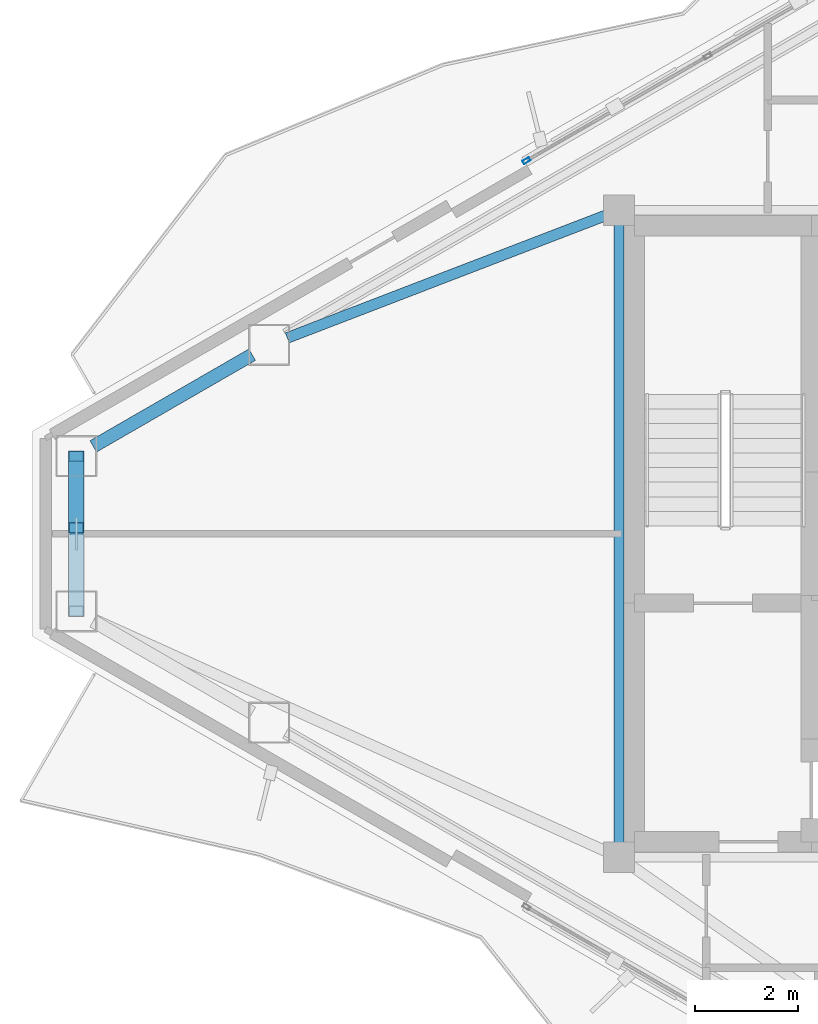
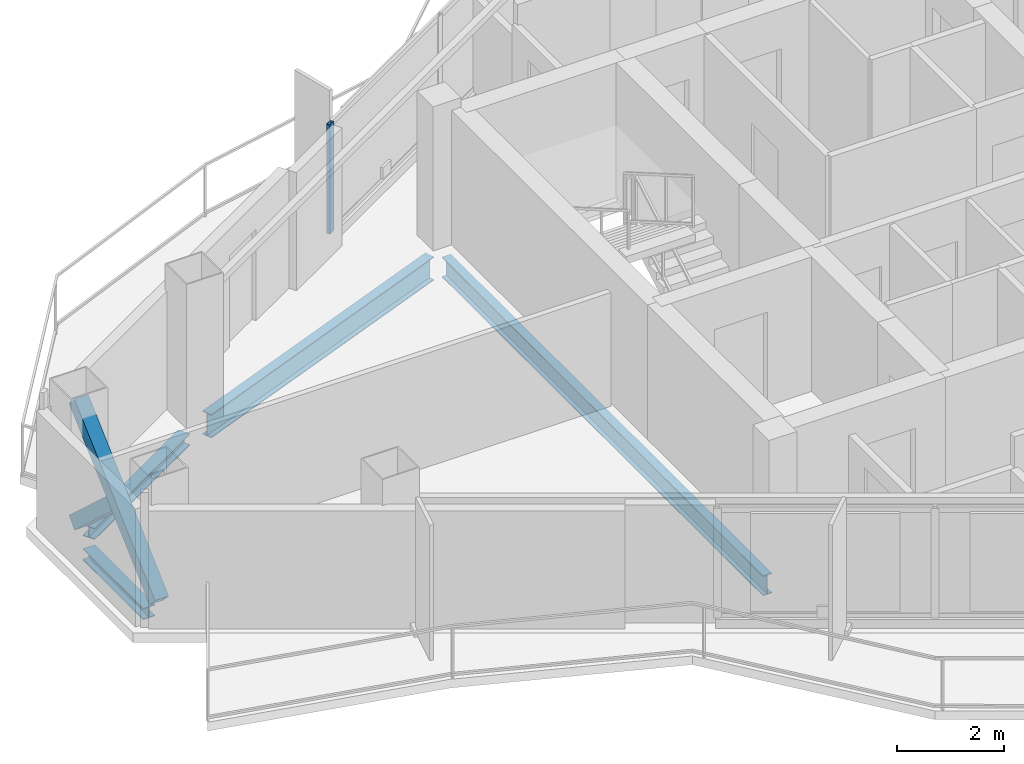
# One storey, part 8 of 18: 4 beams, 3 members, 1 element without a shape of its own.
"""IFC4 building model written with IfcOpenShell, lengths in metres."""

from ifc_helpers import new_model, si_unit, direction, frame, origin, origin_2d, place, context, subcontext, project, spatial, hollow_rectangle, i_section, extrude, material, layer, layer_set, material_profile, profile_set, type_object, element, aggregate, save


model = new_model("IFC4")

# Units and contexts
model_context = context("Model", 3, precision=1e-05, world=origin(), true_north=direction((0.0, 1.0)))
body_context = subcontext(model_context, "Body", "Model", "MODEL_VIEW")
ifc_project = project(units=[si_unit("LENGTHUNIT", "METRE"), si_unit("AREAUNIT", "SQUARE_METRE"), si_unit("VOLUMEUNIT", "CUBIC_METRE"), si_unit("PLANEANGLEUNIT", "RADIAN"), si_unit("MASSUNIT", "GRAM", prefix="KILO")], contexts=[model_context])

# Site, building, storey
site_placement = place(None, origin())
site = spatial("IfcSite", under=ifc_project, at=site_placement, CompositionType="ELEMENT")
building_placement = place(site_placement, origin())
building = spatial("IfcBuilding", under=site, at=building_placement, Name="Mersakhor Tower and Convention Hall", CompositionType="ELEMENT")
storey_placement = place(building_placement, frame((0.0, 0.0, 226.5)))
storey = spatial("IfcBuildingStorey", under=building, at=storey_placement, Name="L63", CompositionType="ELEMENT", Elevation=226.5)

# Beams
ifc_material_1 = material(Name="Steel S355", Category="steel")
ifc_material_profile_1 = material_profile(ifc_material_1, i_section(OverallWidth=0.19140625, OverallDepth=0.4599609375, WebThickness=0.010009765625, FlangeThickness=0.01611328125, at=origin_2d()), Name="UB 457x191x82")
ifc_profile_set_1 = profile_set([ifc_material_profile_1], Name="Steel S355")
beam_type_1 = type_object("IfcBeamType", Name="BM-FB-457", PredefinedType="BEAM", material=ifc_profile_set_1)
beam_1_placement = place(storey_placement, frame((21.89990234375, 20.72998046875, -0.449951171875), z_axis=(0.0, 1.0, 0.0), x_axis=(-1.0, 0.0, 0.0)))
element("IfcBeam", 1, at=beam_1_placement, inside=storey, type_object=beam_type_1, Name="L63 Core Ring Tie Beam CRB-1", PredefinedType="BEAM", context=body_context, shape_type="SweptSolid", body=[
    extrude(i_section(OverallWidth=0.19140625, OverallDepth=0.4599609375, WebThickness=0.010009765625, FlangeThickness=0.01611328125, at=origin_2d()), origin(), (0.0, 0.0, 1.0), 12.0400390625),
])
ifc_material_2 = material(Name="Steel S355", Category="steel")
ifc_material_profile_2 = material_profile(ifc_material_2, i_section(OverallWidth=0.2099609375, OverallDepth=0.53662109375, WebThickness=0.0107421875, FlangeThickness=0.017333984375, at=origin_2d()), Name="UB 533x210x101")
ifc_profile_set_2 = profile_set([ifc_material_profile_2], Name="Steel S355")
beam_type_2 = type_object("IfcBeamType", Name="BM-FB-533", PredefinedType="BEAM", material=ifc_profile_set_2)
beam_2_placement = place(storey_placement, frame((21.638671875, 32.949462890625, -0.48828125), z_axis=(-0.933316231297, -0.359055444741, 0.0), x_axis=(0.359055444741, -0.933316231297, 0.0)))
element("IfcBeam", 2, at=beam_2_placement, inside=storey, type_object=beam_type_2, Name="L63 Primary Floor Girder FG-1", PredefinedType="BEAM", context=body_context, shape_type="SweptSolid", body=[
    extrude(i_section(OverallWidth=0.2099609375, OverallDepth=0.53662109375, WebThickness=0.0107421875, FlangeThickness=0.017333984375, at=origin_2d()), origin(), (0.0, 0.0, 1.0), 6.64111328125),
])
ifc_material_3 = material(Name="Steel S355", Category="steel")
ifc_material_profile_3 = material_profile(ifc_material_3, i_section(OverallWidth=0.25634765625, OverallDepth=0.26025390625, WebThickness=0.01025390625, FlangeThickness=0.017333984375, at=origin_2d()), Name="UC 254x254x89")
ifc_profile_set_3 = profile_set([ifc_material_profile_3], Name="Steel S355")
beam_type_3 = type_object("IfcBeamType", Name="BM-SPD-UC254", PredefinedType="SPANDREL", material=ifc_profile_set_3)
beam_3_placement = place(storey_placement, frame((11.6611328125, 28.451416015625, -0.35009765625), z_axis=(0.866032030752, 0.499988521579, 0.0), x_axis=(-0.499988521579, 0.866032030752, 0.0)))
element("IfcBeam", 3, at=beam_3_placement, inside=storey, type_object=beam_type_3, Name="L63 Perimeter Spandrel Beam SPB-01", PredefinedType="SPANDREL", context=body_context, shape_type="SweptSolid", body=[
    extrude(i_section(OverallWidth=0.25634765625, OverallDepth=0.26025390625, WebThickness=0.01025390625, FlangeThickness=0.017333984375, at=origin_2d()), origin(), (0.0, 0.0, 1.0), 3.57421875),
])
beam_4_placement = place(storey_placement, frame((11.33203125, 25.61865234375, -0.35009765625), z_axis=(0.0, 1.0, 0.0), x_axis=(-1.0, 0.0, 0.0)))
element("IfcBeam", 4, at=beam_4_placement, inside=storey, type_object=beam_type_3, Name="L63 Perimeter Spandrel Beam SPB-12", PredefinedType="SPANDREL", context=body_context, shape_type="SweptSolid", body=[
    extrude(i_section(OverallWidth=0.25634765625, OverallDepth=0.26025390625, WebThickness=0.01025390625, FlangeThickness=0.017333984375, at=origin_2d()), origin(), (0.0, 0.0, 1.0), 2.2626953125),
])

# Curtain wall, member
ifc_material_4 = material(Name="Dark solar low-E aluminium curtain wall", Category="aluminium")
ifc_layer = layer(ifc_material_4, 0.179931640625)
ifc_layer_set = layer_set([ifc_layer], Name="Dark solar low-E aluminium curtain wall")
curtain_wall_type = type_object("IfcCurtainWallType", Name="CW-SYS-03", PredefinedType="USERDEFINED", material=ifc_layer_set)
curtain_wall_placement = place(storey_placement, origin())
curtain_wall = element("IfcCurtainWall", 5, at=curtain_wall_placement, inside=storey, type_object=curtain_wall_type, Name="L63 Dark-Glass Curtain Wall F1-B2", ObjectType="CURTAIN WALL", PredefinedType="USERDEFINED")
ifc_material_5 = material(Name="Anodised aluminium EN AW-6063 T6", Category="aluminium")
ifc_material_profile_4 = material_profile(ifc_material_5, hollow_rectangle(XDim=0.074951171875, YDim=0.14990234375, WallThickness=0.00634765625, at=origin_2d()), Name="RHS 150x75x6.3")
ifc_profile_set_4 = profile_set([ifc_material_profile_4], Name="Anodised aluminium EN AW-6063 T6")
member_type_1 = type_object("IfcMemberType", Name="CWM-150x75", PredefinedType="MULLION", material=ifc_profile_set_4)
member_1_placement = place(storey_placement, frame((20.098388671875, 34.015380859375, 0.199951171875), z_axis=(0.0, 0.0, 1.0), x_axis=(-0.500004411169, 0.86602285698, 0.0)))
member_1 = element("IfcMember", 6, at=member_1_placement, type_object=member_type_1, Name="CW-03 mullion 1", PredefinedType="MULLION", context=body_context, shape_type="SweptSolid", body=[
    extrude(hollow_rectangle(XDim=0.074951171875, YDim=0.14990234375, WallThickness=0.00634765625, at=origin_2d()), origin(), (0.0, 0.0, 1.0), 2.5),
])
aggregate(curtain_wall, [member_1])

# Members
ifc_material_6 = material(Name="Steel S355", Category="steel")
ifc_material_profile_5 = material_profile(ifc_material_6, hollow_rectangle(XDim=0.300048828125, YDim=0.300048828125, WallThickness=0.01611328125, at=origin_2d()), Name="SHS 300x300x16")
ifc_profile_set_5 = profile_set([ifc_material_profile_5], Name="Steel S355")
member_type_2 = type_object("IfcMemberType", Name="MB-BRC-SHS300", PredefinedType="BRACE", material=ifc_profile_set_5)
member_2_placement = place(storey_placement, frame((11.33203125, 25.23876953125, 0.14990234375), z_axis=(0.0, 0.736008025896, 0.676972810249), x_axis=(-1.0, 0.0, 0.0)))
element("IfcMember", 7, at=member_2_placement, inside=storey, type_object=member_type_2, Name="L63 Chamfer Braced Frame Diagonal CB-3A", PredefinedType="BRACE", context=body_context, shape_type="SweptSolid", body=[
    extrude(hollow_rectangle(XDim=0.300048828125, YDim=0.300048828125, WallThickness=0.01611328125, at=origin_2d()), origin(), (0.0, 0.0, 1.0), 4.1064453125),
])
member_3_placement = place(storey_placement, frame((11.33203125, 28.26123046875, 0.14990234375), z_axis=(0.0, -0.735997778537, 0.676983951057), x_axis=(1.0, 0.0, 0.0)))
element("IfcMember", 8, at=member_3_placement, inside=storey, type_object=member_type_2, Name="L63 Chamfer Braced Frame Diagonal CB-3B Lower Half", PredefinedType="BRACE", context=body_context, shape_type="SweptSolid", body=[
    extrude(hollow_rectangle(XDim=0.300048828125, YDim=0.300048828125, WallThickness=0.01611328125, at=origin_2d()), origin(), (0.0, 0.0, 1.0), 1.894775390625),
])

save(model, "model.ifc")
